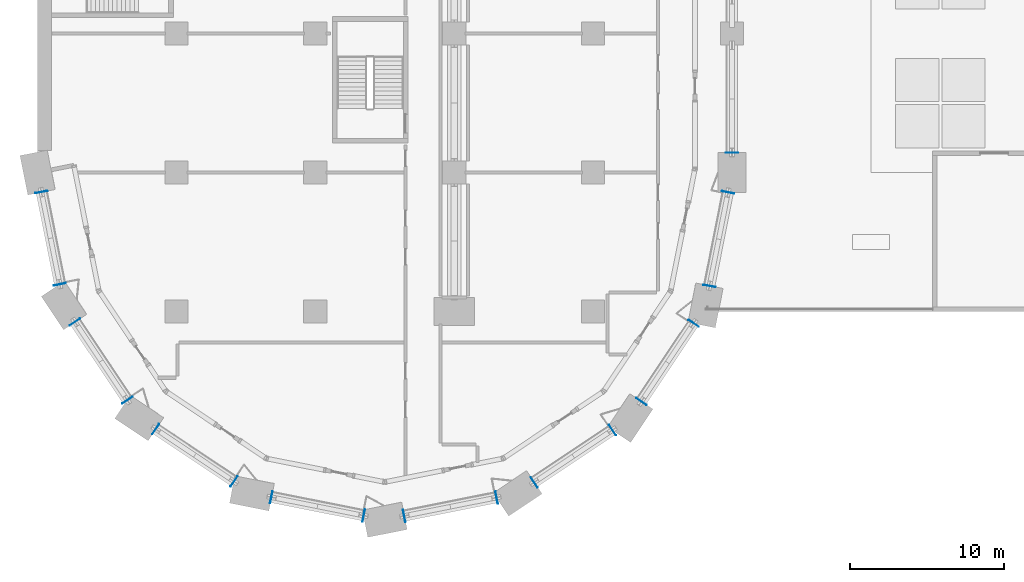
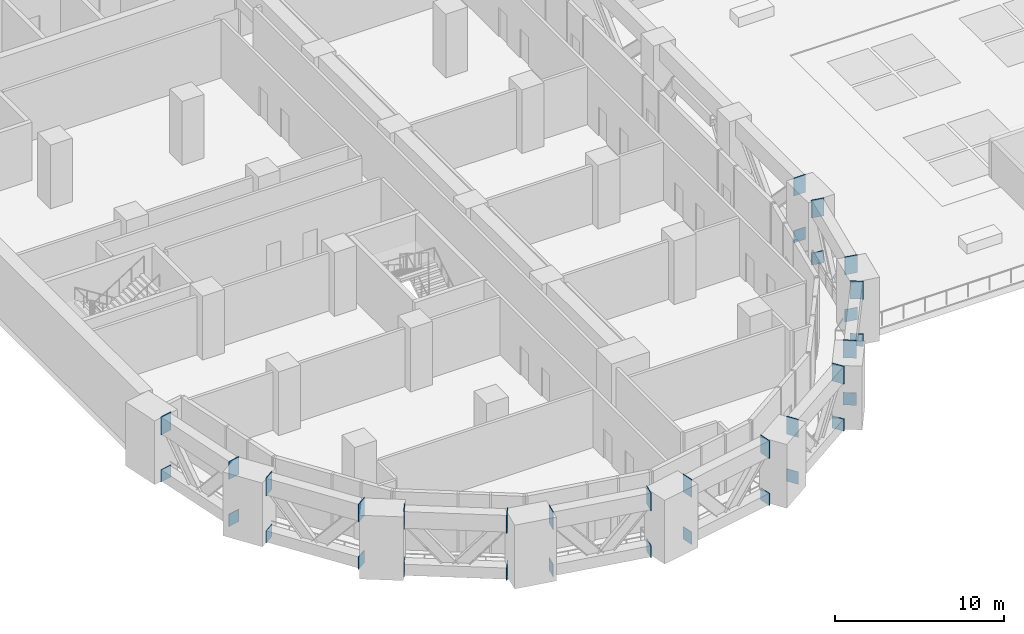
# One storey, part 24 of 31: 34 discrete accessories.
"""IFC4 building model written with IfcOpenShell, lengths in metres."""

from ifc_helpers import new_model, si_unit, direction, frame, origin, origin_2d, place, context, subcontext, project, spatial, rectangle, extrude, material, layer, layer_set, type_object, element, save


model = new_model("IFC4")

# Units and contexts
model_context = context("Model", 3, precision=1e-05, world=origin(), true_north=direction((0.0, 1.0)))
body_context = subcontext(model_context, "Body", "Model", "MODEL_VIEW")
ifc_project = project(units=[si_unit("LENGTHUNIT", "METRE"), si_unit("AREAUNIT", "SQUARE_METRE"), si_unit("VOLUMEUNIT", "CUBIC_METRE"), si_unit("PLANEANGLEUNIT", "RADIAN"), si_unit("MASSUNIT", "GRAM", prefix="KILO")], contexts=[model_context])

# Site, building, storey
site_placement = place(None, origin())
site = spatial("IfcSite", under=ifc_project, at=site_placement, CompositionType="ELEMENT")
building_placement = place(site_placement, origin())
building = spatial("IfcBuilding", under=site, at=building_placement, Name="Hunhe Ridgeline Campus", CompositionType="ELEMENT")
storey_placement = place(building_placement, frame((0.0, 0.0, 31.199951171875)))
storey = spatial("IfcBuildingStorey", under=building, at=storey_placement, Name="L06", CompositionType="ELEMENT", Elevation=31.199951171875)

# Discrete accessories
ifc_material = material(Name="Steel Q420", Category="steel")
ifc_layer_1 = layer(ifc_material, 0.030029296875)
ifc_layer_set_1 = layer_set([ifc_layer_1], Name="Gusset plate 800x1300x30 Steel Q420")
discrete_accessory_type_1 = type_object("IfcDiscreteAccessoryType", Name="Gusset plate 800x1300x30 Steel Q420", PredefinedType="BRACKET", material=ifc_layer_set_1)
for number, where, z_axis, x_axis, name in (
    (1, (0.250732421875, 25.73974609375, 3.35009765625), (0.0, 0.0, 1.0), (-0.195090322016, 0.980785280403, 0.0), "Gusset plate BT1 L06 1"),
    (2, (1.441162109375, 19.7548828125, 3.35009765625), (0.0, 0.0, 1.0), (0.195090322016, -0.980785280403, 0.0), "Gusset plate BT1 L06 3"),
    (3, (2.426513671875, 17.3212890625, 3.35009765625), (0.0, 0.0, 1.0), (-0.55557023302, 0.831469612303, 0.0), "Gusset plate BT1 L06 5"),
    (4, (5.816650390625, 12.24755859375, 3.35009765625), (0.0, 0.0, 1.0), (0.55557023302, -0.831469612303, 0.0), "Gusset plate BT1 L06 7"),
    (5, (7.658447265625, 10.376220703125, 3.35009765625), (0.0, 0.0, 1.0), (-0.831469612303, 0.55557023302, 0.0), "Gusset plate BT1 L06 9"),
    (6, (12.732177734375, 6.986083984375, 3.35009765625), (0.0, 0.0, 1.0), (0.831469612303, -0.55557023302, 0.0), "Gusset plate BT1 L06 11"),
    (7, (15.14990234375, 5.9619140625, 3.35009765625), (0.0, 0.0, 1.0), (-0.980785280403, 0.195090322016, 0.0), "Gusset plate BT1 L06 13"),
    (8, (21.134521484375, 4.771484375, 3.35009765625), (0.0, 0.0, 1.0), (0.980785280403, -0.195090322016, 0.0), "Gusset plate BT1 L06 15"),
    (9, (23.76025390625, 4.750732421875, 3.35009765625), (0.0, 0.0, 1.0), (-0.980785280403, -0.195090322016, 0.0), "Gusset plate BT1 L06 17"),
    (10, (29.7451171875, 5.941162109375, 3.35009765625), (0.0, 0.0, 1.0), (0.980785280403, 0.195090322016, 0.0), "Gusset plate BT1 L06 19"),
    (11, (32.1787109375, 6.926513671875, 3.35009765625), (0.0, 0.0, 1.0), (-0.831469612303, -0.55557023302, 0.0), "Gusset plate BT1 L06 21"),
    (12, (37.25244140625, 10.316650390625, 3.35009765625), (0.0, 0.0, 1.0), (0.831469612303, 0.55557023302, 0.0), "Gusset plate BT1 L06 23"),
    (13, (39.123779296875, 12.158447265625, 3.35009765625), (0.0, 0.0, 1.0), (-0.55557023302, -0.831469612303, 0.0), "Gusset plate BT1 L06 25"),
    (14, (42.513916015625, 17.232177734375, 3.35009765625), (0.0, 0.0, 1.0), (0.55557023302, 0.831469612303, 0.0), "Gusset plate BT1 L06 27"),
    (15, (43.5380859375, 19.64990234375, 3.35009765625), (0.0, 0.0, 1.0), (-0.195090322016, -0.980785280403, 0.0), "Gusset plate BT1 L06 29"),
    (16, (44.744384765625, 25.714599609375, 3.35009765625), (0.0, 0.0, 1.0), (0.195090322016, 0.980785280403, 0.0), "Gusset plate BT1 L06 31"),
    (17, (45.0, 28.284912109375, 3.35009765625), (0.0, 0.0, 1.0), (0.0, -1.0, 0.0), "Gusset plate BT1 L06 33"),
):
    element("IfcDiscreteAccessory", number, at=place(storey_placement, frame(where, z_axis=z_axis, x_axis=x_axis)), inside=storey, type_object=discrete_accessory_type_1, Name=name, PredefinedType="BRACKET", context=body_context, shape_type="SweptSolid", body=[
        extrude(rectangle(XDim=0.030029296875, YDim=0.800048828125, at=origin_2d()), origin(), (0.0, 0.0, 1.0), 1.300048828125),
    ])
ifc_layer_2 = layer(ifc_material, 0.030029296875)
ifc_layer_set_2 = layer_set([ifc_layer_2], Name="Gusset plate 800x900x30 Steel Q420")
discrete_accessory_type_2 = type_object("IfcDiscreteAccessoryType", Name="Gusset plate 800x900x30 Steel Q420", PredefinedType="BRACKET", material=ifc_layer_set_2)
for number, where, z_axis, x_axis, name in (
    (18, (0.250732421875, 25.73974609375, -0.0498046875), (0.0, 0.0, 1.0), (-0.195090322016, 0.980785280403, 0.0), "Gusset plate BT1 L06 2"),
    (19, (1.441162109375, 19.7548828125, -0.0498046875), (0.0, 0.0, 1.0), (0.195090322016, -0.980785280403, 0.0), "Gusset plate BT1 L06 4"),
    (20, (2.426513671875, 17.3212890625, -0.0498046875), (0.0, 0.0, 1.0), (-0.55557023302, 0.831469612303, 0.0), "Gusset plate BT1 L06 6"),
    (21, (5.816650390625, 12.24755859375, -0.0498046875), (0.0, 0.0, 1.0), (0.55557023302, -0.831469612303, 0.0), "Gusset plate BT1 L06 8"),
    (22, (7.658447265625, 10.376220703125, -0.0498046875), (0.0, 0.0, 1.0), (-0.831469612303, 0.55557023302, 0.0), "Gusset plate BT1 L06 10"),
    (23, (12.732177734375, 6.986083984375, -0.0498046875), (0.0, 0.0, 1.0), (0.831469612303, -0.55557023302, 0.0), "Gusset plate BT1 L06 12"),
    (24, (15.14990234375, 5.9619140625, -0.0498046875), (0.0, 0.0, 1.0), (-0.980785280403, 0.195090322016, 0.0), "Gusset plate BT1 L06 14"),
    (25, (21.134521484375, 4.771484375, -0.0498046875), (0.0, 0.0, 1.0), (0.980785280403, -0.195090322016, 0.0), "Gusset plate BT1 L06 16"),
    (26, (23.76025390625, 4.750732421875, -0.0498046875), (0.0, 0.0, 1.0), (-0.980785280403, -0.195090322016, 0.0), "Gusset plate BT1 L06 18"),
    (27, (29.7451171875, 5.941162109375, -0.0498046875), (0.0, 0.0, 1.0), (0.980785280403, 0.195090322016, 0.0), "Gusset plate BT1 L06 20"),
    (28, (32.1787109375, 6.926513671875, -0.0498046875), (0.0, 0.0, 1.0), (-0.831469612303, -0.55557023302, 0.0), "Gusset plate BT1 L06 22"),
    (29, (37.25244140625, 10.316650390625, -0.0498046875), (0.0, 0.0, 1.0), (0.831469612303, 0.55557023302, 0.0), "Gusset plate BT1 L06 24"),
    (30, (39.123779296875, 12.158447265625, -0.0498046875), (0.0, 0.0, 1.0), (-0.55557023302, -0.831469612303, 0.0), "Gusset plate BT1 L06 26"),
    (31, (42.513916015625, 17.232177734375, -0.0498046875), (0.0, 0.0, 1.0), (0.55557023302, 0.831469612303, 0.0), "Gusset plate BT1 L06 28"),
    (32, (43.5380859375, 19.64990234375, -0.0498046875), (0.0, 0.0, 1.0), (-0.195090322016, -0.980785280403, 0.0), "Gusset plate BT1 L06 30"),
    (33, (44.744384765625, 25.714599609375, -0.0498046875), (0.0, 0.0, 1.0), (0.195090322016, 0.980785280403, 0.0), "Gusset plate BT1 L06 32"),
    (34, (45.0, 28.284912109375, -0.0498046875), (0.0, 0.0, 1.0), (0.0, -1.0, 0.0), "Gusset plate BT1 L06 34"),
):
    element("IfcDiscreteAccessory", number, at=place(storey_placement, frame(where, z_axis=z_axis, x_axis=x_axis)), inside=storey, type_object=discrete_accessory_type_2, Name=name, PredefinedType="BRACKET", context=body_context, shape_type="SweptSolid", body=[
        extrude(rectangle(XDim=0.030029296875, YDim=0.800048828125, at=origin_2d()), origin(), (0.0, 0.0, 1.0), 0.89990234375),
    ])

save(model, "model.ifc")
